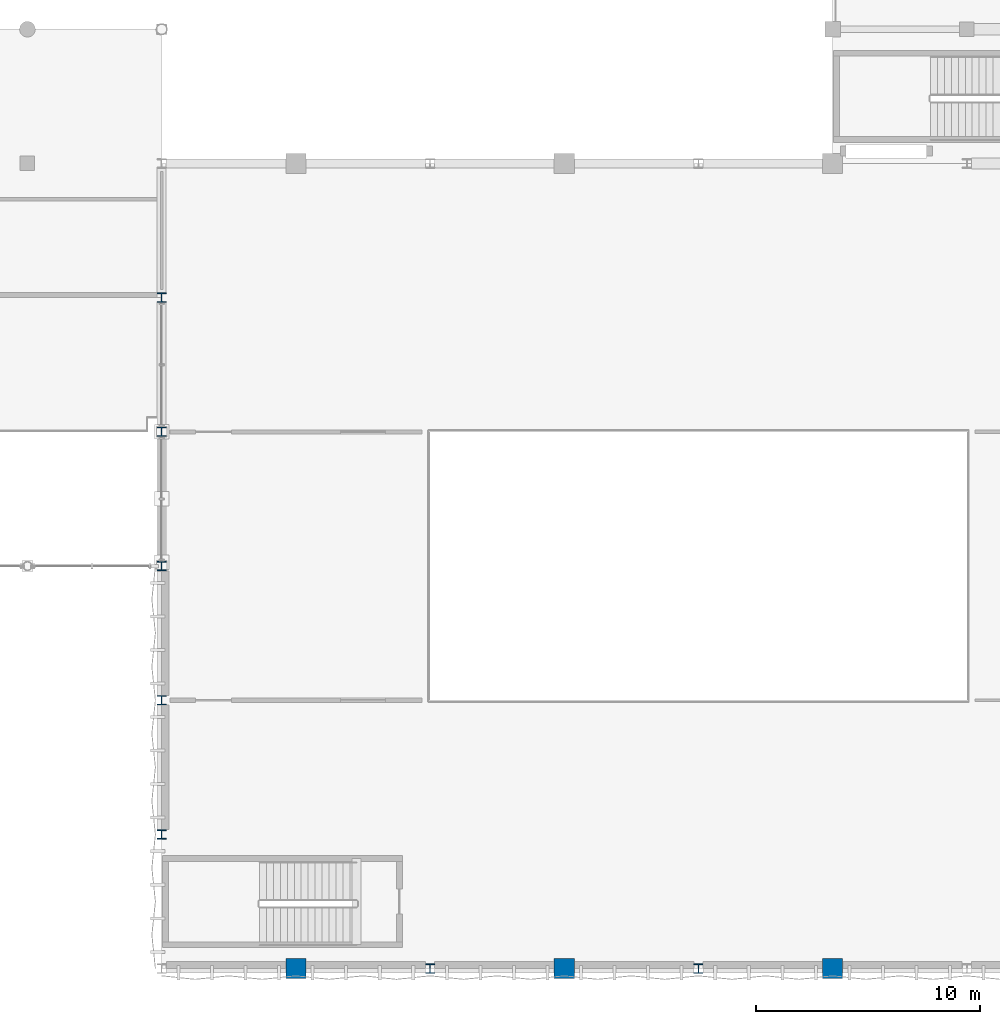
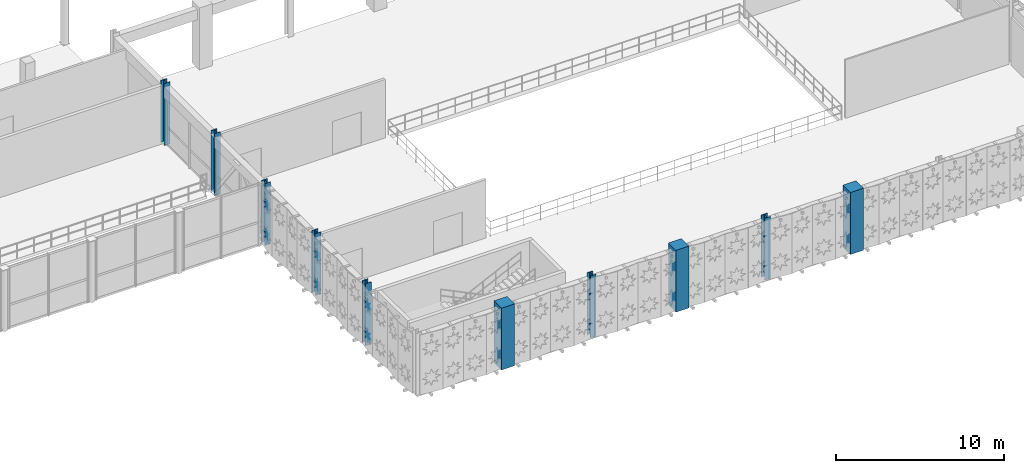
# One storey, part 3 of 116: 10 columns.
"""IFC4 building model written with IfcOpenShell, lengths in metres."""

from ifc_helpers import new_model, si_unit, direction, frame, origin, origin_2d, place, context, subcontext, project, spatial, rectangle, i_section, extrude, material, material_profile, profile_set, type_object, element, save


model = new_model("IFC4")

# Units and contexts
model_context = context("Model", 3, precision=1e-05, world=origin(), true_north=direction((0.0, 1.0)))
body_context = subcontext(model_context, "Body", "Model", "MODEL_VIEW")
ifc_project = project(units=[si_unit("LENGTHUNIT", "METRE"), si_unit("AREAUNIT", "SQUARE_METRE"), si_unit("VOLUMEUNIT", "CUBIC_METRE"), si_unit("PLANEANGLEUNIT", "RADIAN"), si_unit("MASSUNIT", "GRAM", prefix="KILO"), si_unit("THERMODYNAMICTEMPERATUREUNIT", "KELVIN"), si_unit("POWERUNIT", "WATT")], contexts=[model_context])

# Site, building, storey
site_placement = place(None, origin())
site = spatial("IfcSite", under=ifc_project, at=site_placement, CompositionType="ELEMENT")
building_placement = place(site_placement, origin())
building = spatial("IfcBuilding", under=site, at=building_placement, Name="Phaisarnlok Congress Hotel", CompositionType="ELEMENT")
storey_placement = place(building_placement, frame((0.0, 0.0, 10.5)))
storey = spatial("IfcBuildingStorey", under=building, at=storey_placement, Name="L02", CompositionType="ELEMENT", Elevation=10.5)

# Columns
ifc_material_1 = material(Name="Concrete C50/60", Category="concrete")
ifc_material_profile_1 = material_profile(ifc_material_1, rectangle(XDim=0.89990234375, YDim=0.89990234375, at=origin_2d()), Name="RC 900x900")
ifc_profile_set_1 = profile_set([ifc_material_profile_1], Name="Concrete C50/60")
column_type_1 = type_object("IfcColumnType", Name="COL-RC-900-EXT", PredefinedType="COLUMN", material=ifc_profile_set_1)
for number, where, z_axis, x_axis, name in (
    (1, (102.0, 0.0, 0.0), (0.0, 0.0, 1.0), (1.0, 0.0, 0.0), "Column C-08E (L02)"),
    (2, (114.0, 0.0, 0.0), (0.0, 0.0, 1.0), (1.0, 0.0, 0.0), "Column C-08E (L02)"),
    (3, (126.0, 0.0, 0.0), (0.0, 0.0, 1.0), (1.0, 0.0, 0.0), "Column C-08E (L02)"),
):
    element("IfcColumn", number, at=place(storey_placement, frame(where, z_axis=z_axis, x_axis=x_axis)), inside=storey, type_object=column_type_1, Name=name, PredefinedType="COLUMN", context=body_context, shape_type="SweptSolid", body=[
        extrude(rectangle(XDim=0.89990234375, YDim=0.89990234375, at=origin_2d()), origin(), (0.0, 0.0, 1.0), 4.5),
    ])
ifc_material_2 = material(Name="Steel S355", Category="steel")
ifc_material_profile_2 = material_profile(ifc_material_2, i_section(OverallWidth=0.406005859375, OverallDepth=0.416015625, WebThickness=0.021484375, FlangeThickness=0.034912109375, FilletRadius=0.014892578125, at=origin_2d()), Name="HD 400x382")
ifc_profile_set_2 = profile_set([ifc_material_profile_2], Name="Steel S355")
column_type_2 = type_object("IfcColumnType", Name="COL-STL-HD382", PredefinedType="COLUMN", material=ifc_profile_set_2)
for number, where, z_axis, x_axis, name in (
    (4, (96.0, 6.0, 0.0), (0.0, 0.0, 1.0), (1.0, 0.0, 0.0), "Column SC-05 (L02)"),
    (5, (96.0, 12.0, 0.0), (0.0, 0.0, 1.0), (1.0, 0.0, 0.0), "Column SC-05 (L02)"),
    (6, (96.0, 18.0, 0.0), (0.0, 0.0, 1.0), (1.0, 0.0, 0.0), "Column SC-05 (L02)"),
    (7, (96.0, 24.0, 0.0), (0.0, 0.0, 1.0), (1.0, 0.0, 0.0), "Column SC-05 (L02)"),
    (8, (96.0, 30.0, 0.0), (0.0, 0.0, 1.0), (1.0, 0.0, 0.0), "Column SC-05 (L02)"),
):
    element("IfcColumn", number, at=place(storey_placement, frame(where, z_axis=z_axis, x_axis=x_axis)), inside=storey, type_object=column_type_2, Name=name, PredefinedType="COLUMN", context=body_context, shape_type="SweptSolid", body=[
        extrude(i_section(OverallWidth=0.406005859375, OverallDepth=0.416015625, WebThickness=0.021484375, FlangeThickness=0.034912109375, FilletRadius=0.014892578125, at=origin_2d()), origin(), (0.0, 0.0, 1.0), 4.5),
    ])
ifc_material_profile_3 = material_profile(ifc_material_2, i_section(OverallWidth=0.406005859375, OverallDepth=0.416015625, WebThickness=0.021484375, FlangeThickness=0.034912109375, FilletRadius=0.014892578125, at=origin_2d()), Name="HD 400x382")
ifc_profile_set_3 = profile_set([ifc_material_profile_3], Name="Steel S355")
column_type_3 = type_object("IfcColumnType", Name="COL-STL-HD382-EXT", PredefinedType="COLUMN", material=ifc_profile_set_3)
for number, where, z_axis, x_axis, name in (
    (9, (108.0, 0.0, 0.0), (0.0, 0.0, 1.0), (1.0, 0.0, 0.0), "Column SC-05E (L02)"),
    (10, (120.0, 0.0, 0.0), (0.0, 0.0, 1.0), (1.0, 0.0, 0.0), "Column SC-05E (L02)"),
):
    element("IfcColumn", number, at=place(storey_placement, frame(where, z_axis=z_axis, x_axis=x_axis)), inside=storey, type_object=column_type_3, Name=name, PredefinedType="COLUMN", context=body_context, shape_type="SweptSolid", body=[
        extrude(i_section(OverallWidth=0.406005859375, OverallDepth=0.416015625, WebThickness=0.021484375, FlangeThickness=0.034912109375, FilletRadius=0.014892578125, at=origin_2d()), origin(), (0.0, 0.0, 1.0), 4.5),
    ])

save(model, "model.ifc")
